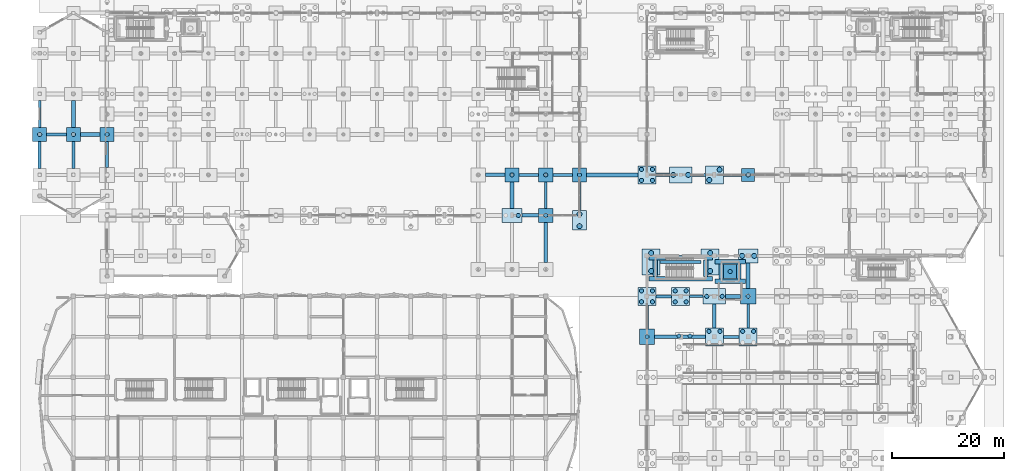
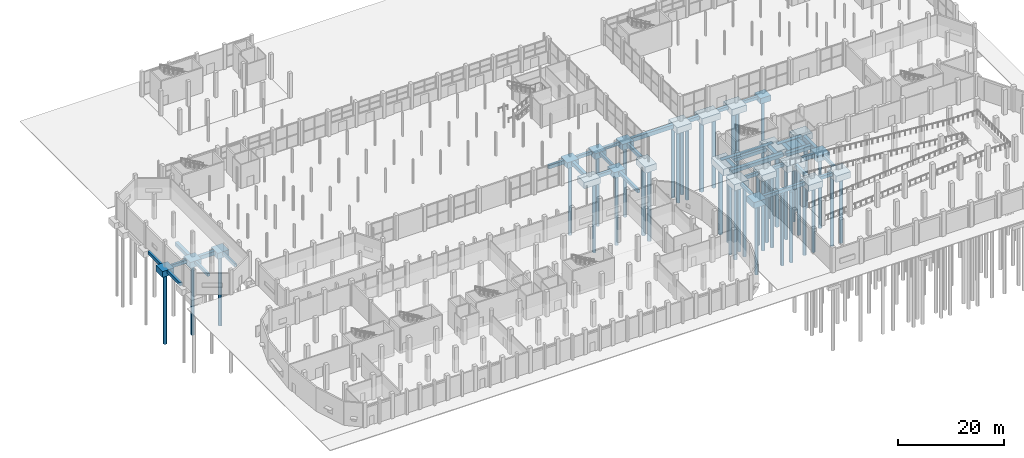
# One storey, part 3 of 103: 61 footings, 44 piles.
"""IFC4 building model written with IfcOpenShell, lengths in metres."""

from ifc_helpers import new_model, si_unit, direction, frame, origin, origin_2d, place, context, subcontext, project, spatial, rectangle, circle, extrude, material, material_profile, profile_set, type_object, element, save


model = new_model("IFC4")

# Units and contexts
model_context = context("Model", 3, precision=1e-05, world=origin(), true_north=direction((0.0, 1.0)))
body_context = subcontext(model_context, "Body", "Model", "MODEL_VIEW")
ifc_project = project(units=[si_unit("LENGTHUNIT", "METRE"), si_unit("AREAUNIT", "SQUARE_METRE"), si_unit("VOLUMEUNIT", "CUBIC_METRE"), si_unit("PLANEANGLEUNIT", "RADIAN"), si_unit("MASSUNIT", "GRAM", prefix="KILO")], contexts=[model_context])

# Site, building, storey
site_placement = place(None, origin())
site = spatial("IfcSite", under=ifc_project, at=site_placement, CompositionType="ELEMENT")
building_placement = place(site_placement, origin())
building = spatial("IfcBuilding", under=site, at=building_placement, Name="Dunvalen Ferry Terminal", CompositionType="ELEMENT")
storey_placement = place(building_placement, origin())
storey = spatial("IfcBuildingStorey", under=building, at=storey_placement, Name="L00", CompositionType="ELEMENT", Elevation=0.0)

# Footings
ifc_material = material(Name="Concrete C40/50", Category="concrete")
ifc_material_profile_1 = material_profile(ifc_material, rectangle(XDim=0.5, YDim=0.699951171875, at=origin_2d()), Name="Concrete C40/50")
ifc_profile_set_1 = profile_set([ifc_material_profile_1], Name="Concrete C40/50")
footing_type_1 = type_object("IfcFootingType", Name="STR-GB-500x700", PredefinedType="FOOTING_BEAM", material=ifc_profile_set_1)
footing_1_placement = place(storey_placement, frame((115.60009765625, 36.0, -0.669921875), z_axis=(1.0, 0.0, 0.0), x_axis=(0.0, 1.0, 0.0)))
element("IfcFooting", 1, at=footing_1_placement, inside=storey, type_object=footing_type_1, Name="L00 Ground Beam X-171", PredefinedType="FOOTING_BEAM", context=body_context, shape_type="SweptSolid", body=[
    extrude(rectangle(XDim=0.5, YDim=0.699951171875, at=origin_2d()), origin(), (0.0, 0.0, 1.0), 2.39990234375),
])
footing_2_placement = place(storey_placement, frame((91.25, 57.60009765625, -0.669921875), z_axis=(1.0, 0.0, 0.0), x_axis=(0.0, 1.0, 0.0)))
element("IfcFooting", 2, at=footing_2_placement, inside=storey, type_object=footing_type_1, Name="L00 Ground Beam X-215", PredefinedType="FOOTING_BEAM", context=body_context, shape_type="SweptSolid", body=[
    extrude(rectangle(XDim=0.5, YDim=0.699951171875, at=origin_2d()), origin(), (0.0, 0.0, 1.0), 3.5),
])
footing_3_placement = place(storey_placement, frame((121.60009765625, 57.60009765625, -0.669921875), z_axis=(1.0, 0.0, 0.0), x_axis=(0.0, 1.0, 0.0)))
element("IfcFooting", 3, at=footing_3_placement, inside=storey, type_object=footing_type_1, Name="L00 Ground Beam X-219", PredefinedType="FOOTING_BEAM", context=body_context, shape_type="SweptSolid", body=[
    extrude(rectangle(XDim=0.5, YDim=0.699951171875, at=origin_2d()), origin(), (0.0, 0.0, 1.0), 3.25),
])
footing_4_placement = place(storey_placement, frame((1.25, 64.800048828125, -0.669921875), z_axis=(1.0, 0.0, 0.0), x_axis=(0.0, 1.0, 0.0)))
element("IfcFooting", 4, at=footing_4_placement, inside=storey, type_object=footing_type_1, Name="L00 Ground Beam X-227", PredefinedType="FOOTING_BEAM", context=body_context, shape_type="SweptSolid", body=[
    extrude(rectangle(XDim=0.5, YDim=0.699951171875, at=origin_2d()), origin(), (0.0, 0.0, 1.0), 3.5),
])
for number, where, z_axis, x_axis, name in (
    (5, (0.0, 66.050048828125, -0.669921875), (0.0, 1.0, 0.0), (-1.0, 0.0, 0.0), "L00 Ground Beam Y-359"),
    (6, (6.0, 58.75, -0.669921875), (0.0, 1.0, 0.0), (-1.0, 0.0, 0.0), "L00 Ground Beam Y-363"),
):
    element("IfcFooting", number, at=place(storey_placement, frame(where, z_axis=z_axis, x_axis=x_axis)), inside=storey, type_object=footing_type_1, Name=name, PredefinedType="FOOTING_BEAM", context=body_context, shape_type="SweptSolid", body=[
        extrude(rectangle(XDim=0.5, YDim=0.699951171875, at=origin_2d()), origin(), (0.0, 0.0, 1.0), 4.800048828125),
    ])
footing_5_placement = place(storey_placement, frame((12.0, 58.949951171875, -0.669921875), z_axis=(0.0, 1.0, 0.0), x_axis=(-1.0, 0.0, 0.0)))
element("IfcFooting", 7, at=footing_5_placement, inside=storey, type_object=footing_type_1, Name="L00 Ground Beam Y-371", PredefinedType="FOOTING_BEAM", context=body_context, shape_type="SweptSolid", body=[
    extrude(rectangle(XDim=0.5, YDim=0.699951171875, at=origin_2d()), origin(), (0.0, 0.0, 1.0), 4.60009765625),
])
footing_6_placement = place(storey_placement, frame((90.0, 51.64990234375, -0.669921875), z_axis=(0.0, 1.0, 0.0), x_axis=(-1.0, 0.0, 0.0)))
element("IfcFooting", 8, at=footing_6_placement, inside=storey, type_object=footing_type_1, Name="L00 Ground Beam Y-439", PredefinedType="FOOTING_BEAM", context=body_context, shape_type="SweptSolid", body=[
    extrude(rectangle(XDim=0.5, YDim=0.699951171875, at=origin_2d()), origin(), (0.0, 0.0, 1.0), 4.7001953125),
])
for number, where, z_axis, x_axis, name in (
    (9, (108.0, 30.14990234375, -0.669921875), (0.0, 1.0, 0.0), (-1.0, 0.0, 0.0), "L00 Ground Beam Y-455"),
    (10, (126.0, 30.39990234375, -0.669921875), (0.0, 1.0, 0.0), (-1.0, 0.0, 0.0), "L00 Ground Beam Y-471"),
):
    element("IfcFooting", number, at=place(storey_placement, frame(where, z_axis=z_axis, x_axis=x_axis)), inside=storey, type_object=footing_type_1, Name=name, PredefinedType="FOOTING_BEAM", context=body_context, shape_type="SweptSolid", body=[
        extrude(rectangle(XDim=0.5, YDim=0.699951171875, at=origin_2d()), origin(), (0.0, 0.0, 1.0), 4.25),
    ])
ifc_material_profile_2 = material_profile(ifc_material, rectangle(XDim=0.550048828125, YDim=0.75, at=origin_2d()), Name="Concrete C40/50")
ifc_profile_set_2 = profile_set([ifc_material_profile_2], Name="Concrete C40/50")
footing_type_2 = type_object("IfcFootingType", Name="STR-GB-550x750", PredefinedType="FOOTING_BEAM", material=ifc_profile_set_2)
for number, where, z_axis, x_axis, name in (
    (11, (121.60009765625, 28.800048828125, -0.695068359375), (1.0, 0.0, 0.0), (0.0, 1.0, 0.0), "L00 Ground Beam X-166"),
    (12, (109.60009765625, 36.0, -0.695068359375), (1.0, 0.0, 0.0), (0.0, 1.0, 0.0), "L00 Ground Beam X-170"),
):
    element("IfcFooting", number, at=place(storey_placement, frame(where, z_axis=z_axis, x_axis=x_axis)), inside=storey, type_object=footing_type_2, Name=name, PredefinedType="FOOTING_BEAM", context=body_context, shape_type="SweptSolid", body=[
        extrude(rectangle(XDim=0.550048828125, YDim=0.75, at=origin_2d()), origin(), (0.0, 0.0, 1.0), 2.7998046875),
    ])
footing_7_placement = place(storey_placement, frame((85.25, 57.60009765625, -0.695068359375), z_axis=(1.0, 0.0, 0.0), x_axis=(0.0, 1.0, 0.0)))
element("IfcFooting", 13, at=footing_7_placement, inside=storey, type_object=footing_type_2, Name="L00 Ground Beam X-214", PredefinedType="FOOTING_BEAM", context=body_context, shape_type="SweptSolid", body=[
    extrude(rectangle(XDim=0.550048828125, YDim=0.75, at=origin_2d()), origin(), (0.0, 0.0, 1.0), 3.5),
])
footing_8_placement = place(storey_placement, frame((116.0, 57.60009765625, -0.695068359375), z_axis=(1.0, 0.0, 0.0), x_axis=(0.0, 1.0, 0.0)))
element("IfcFooting", 14, at=footing_8_placement, inside=storey, type_object=footing_type_2, Name="L00 Ground Beam X-218", PredefinedType="FOOTING_BEAM", context=body_context, shape_type="SweptSolid", body=[
    extrude(rectangle(XDim=0.550048828125, YDim=0.75, at=origin_2d()), origin(), (0.0, 0.0, 1.0), 2.39990234375),
])
footing_9_placement = place(storey_placement, frame((0.0, 58.75, -0.695068359375), z_axis=(0.0, 1.0, 0.0), x_axis=(-1.0, 0.0, 0.0)))
element("IfcFooting", 15, at=footing_9_placement, inside=storey, type_object=footing_type_2, Name="L00 Ground Beam Y-358", PredefinedType="FOOTING_BEAM", context=body_context, shape_type="SweptSolid", body=[
    extrude(rectangle(XDim=0.550048828125, YDim=0.75, at=origin_2d()), origin(), (0.0, 0.0, 1.0), 4.800048828125),
])
footing_10_placement = place(storey_placement, frame((90.0, 42.050048828125, -0.695068359375), z_axis=(0.0, 1.0, 0.0), x_axis=(-1.0, 0.0, 0.0)))
element("IfcFooting", 16, at=footing_10_placement, inside=storey, type_object=footing_type_2, Name="L00 Ground Beam Y-438", PredefinedType="FOOTING_BEAM", context=body_context, shape_type="SweptSolid", body=[
    extrude(rectangle(XDim=0.550048828125, YDim=0.75, at=origin_2d()), origin(), (0.0, 0.0, 1.0), 7.099853515625),
])
ifc_material_profile_3 = material_profile(ifc_material, rectangle(XDim=0.60009765625, YDim=0.800048828125, at=origin_2d()), Name="Concrete C40/50")
ifc_profile_set_3 = profile_set([ifc_material_profile_3], Name="Concrete C40/50")
footing_type_3 = type_object("IfcFootingType", Name="STR-GB-600x800", PredefinedType="FOOTING_BEAM", material=ifc_profile_set_3)
footing_11_placement = place(storey_placement, frame((109.35009765625, 28.800048828125, -0.719970703125), z_axis=(1.0, 0.0, 0.0), x_axis=(0.0, 1.0, 0.0)))
element("IfcFooting", 17, at=footing_11_placement, inside=storey, type_object=footing_type_3, Name="L00 Ground Beam X-165", PredefinedType="FOOTING_BEAM", context=body_context, shape_type="SweptSolid", body=[
    extrude(rectangle(XDim=0.60009765625, YDim=0.800048828125, at=origin_2d()), origin(), (0.0, 0.0, 1.0), 9.0498046875),
])
footing_12_placement = place(storey_placement, frame((110.35009765625, 42.10009765625, -0.719970703125), z_axis=(1.0, 0.0, 0.0), x_axis=(0.0, 1.0, 0.0)))
element("IfcFooting", 18, at=footing_12_placement, inside=storey, type_object=footing_type_3, Name="L00 Ground Beam X-181", PredefinedType="FOOTING_BEAM", context=body_context, shape_type="SweptSolid", body=[
    extrude(rectangle(XDim=0.60009765625, YDim=0.800048828125, at=origin_2d()), origin(), (0.0, 0.0, 1.0), 7.2998046875),
])
footing_13_placement = place(storey_placement, frame((85.75, 50.39990234375, -0.719970703125), z_axis=(1.0, 0.0, 0.0), x_axis=(0.0, 1.0, 0.0)))
element("IfcFooting", 19, at=footing_13_placement, inside=storey, type_object=footing_type_3, Name="L00 Ground Beam X-201", PredefinedType="FOOTING_BEAM", context=body_context, shape_type="SweptSolid", body=[
    extrude(rectangle(XDim=0.60009765625, YDim=0.800048828125, at=origin_2d()), origin(), (0.0, 0.0, 1.0), 3.0),
])
footing_14_placement = place(storey_placement, frame((79.25, 57.60009765625, -0.719970703125), z_axis=(1.0, 0.0, 0.0), x_axis=(0.0, 1.0, 0.0)))
element("IfcFooting", 20, at=footing_14_placement, inside=storey, type_object=footing_type_3, Name="L00 Ground Beam X-213", PredefinedType="FOOTING_BEAM", context=body_context, shape_type="SweptSolid", body=[
    extrude(rectangle(XDim=0.60009765625, YDim=0.800048828125, at=origin_2d()), origin(), (0.0, 0.0, 1.0), 3.5),
])
footing_15_placement = place(storey_placement, frame((109.60009765625, 57.60009765625, -0.719970703125), z_axis=(1.0, 0.0, 0.0), x_axis=(0.0, 1.0, 0.0)))
element("IfcFooting", 21, at=footing_15_placement, inside=storey, type_object=footing_type_3, Name="L00 Ground Beam X-217", PredefinedType="FOOTING_BEAM", context=body_context, shape_type="SweptSolid", body=[
    extrude(rectangle(XDim=0.60009765625, YDim=0.800048828125, at=origin_2d()), origin(), (0.0, 0.0, 1.0), 2.39990234375),
])
footing_16_placement = place(storey_placement, frame((96.0, 51.300048828125, -0.719970703125), z_axis=(0.0, 1.0, 0.0), x_axis=(-1.0, 0.0, 0.0)))
element("IfcFooting", 22, at=footing_16_placement, inside=storey, type_object=footing_type_3, Name="L00 Ground Beam Y-445", PredefinedType="FOOTING_BEAM", context=body_context, shape_type="SweptSolid", body=[
    extrude(rectangle(XDim=0.60009765625, YDim=0.800048828125, at=origin_2d()), origin(), (0.0, 0.0, 1.0), 5.050048828125),
])
footing_17_placement = place(storey_placement, frame((120.0, 30.39990234375, -0.719970703125), z_axis=(0.0, 1.0, 0.0), x_axis=(-1.0, 0.0, 0.0)))
element("IfcFooting", 23, at=footing_17_placement, inside=storey, type_object=footing_type_3, Name="L00 Ground Beam Y-465", PredefinedType="FOOTING_BEAM", context=body_context, shape_type="SweptSolid", body=[
    extrude(rectangle(XDim=0.60009765625, YDim=0.800048828125, at=origin_2d()), origin(), (0.0, 0.0, 1.0), 4.2001953125),
])
ifc_material_profile_4 = material_profile(ifc_material, rectangle(XDim=0.699951171875, YDim=0.89990234375, at=origin_2d()), Name="Concrete C40/50")
ifc_profile_set_4 = profile_set([ifc_material_profile_4], Name="Concrete C40/50")
footing_type_4 = type_object("IfcFootingType", Name="STR-GB-700x900", PredefinedType="FOOTING_BEAM", material=ifc_profile_set_4)
footing_18_placement = place(storey_placement, frame((122.0, 36.0, -0.77001953125), z_axis=(1.0, 0.0, 0.0), x_axis=(0.0, 1.0, 0.0)))
element("IfcFooting", 24, at=footing_18_placement, inside=storey, type_object=footing_type_4, Name="L00 Ground Beam X-172", PredefinedType="FOOTING_BEAM", context=body_context, shape_type="SweptSolid", body=[
    extrude(rectangle(XDim=0.699951171875, YDim=0.89990234375, at=origin_2d()), origin(), (0.0, 0.0, 1.0), 2.64990234375),
])
footing_19_placement = place(storey_placement, frame((97.25, 57.60009765625, -0.77001953125), z_axis=(1.0, 0.0, 0.0), x_axis=(0.0, 1.0, 0.0)))
element("IfcFooting", 25, at=footing_19_placement, inside=storey, type_object=footing_type_4, Name="L00 Ground Beam X-216", PredefinedType="FOOTING_BEAM", context=body_context, shape_type="SweptSolid", body=[
    extrude(rectangle(XDim=0.699951171875, YDim=0.89990234375, at=origin_2d()), origin(), (0.0, 0.0, 1.0), 9.14990234375),
])
footing_20_placement = place(storey_placement, frame((7.25, 64.800048828125, -0.77001953125), z_axis=(1.0, 0.0, 0.0), x_axis=(0.0, 1.0, 0.0)))
element("IfcFooting", 26, at=footing_20_placement, inside=storey, type_object=footing_type_4, Name="L00 Ground Beam X-228", PredefinedType="FOOTING_BEAM", context=body_context, shape_type="SweptSolid", body=[
    extrude(rectangle(XDim=0.699951171875, YDim=0.89990234375, at=origin_2d()), origin(), (0.0, 0.0, 1.0), 3.5),
])
footing_21_placement = place(storey_placement, frame((6.0, 66.050048828125, -0.77001953125), z_axis=(0.0, 1.0, 0.0), x_axis=(-1.0, 0.0, 0.0)))
element("IfcFooting", 27, at=footing_21_placement, inside=storey, type_object=footing_type_4, Name="L00 Ground Beam Y-364", PredefinedType="FOOTING_BEAM", context=body_context, shape_type="SweptSolid", body=[
    extrude(rectangle(XDim=0.699951171875, YDim=0.89990234375, at=origin_2d()), origin(), (0.0, 0.0, 1.0), 4.800048828125),
])
footing_22_placement = place(storey_placement, frame((84.0, 51.64990234375, -0.77001953125), z_axis=(0.0, 1.0, 0.0), x_axis=(-1.0, 0.0, 0.0)))
element("IfcFooting", 28, at=footing_22_placement, inside=storey, type_object=footing_type_4, Name="L00 Ground Beam Y-432", PredefinedType="FOOTING_BEAM", context=body_context, shape_type="SweptSolid", body=[
    extrude(rectangle(XDim=0.699951171875, YDim=0.89990234375, at=origin_2d()), origin(), (0.0, 0.0, 1.0), 4.7001953125),
])
footing_23_placement = place(storey_placement, frame((126.0, 37.35009765625, -0.77001953125), z_axis=(0.0, 1.0, 0.0), x_axis=(-1.0, 0.0, 0.0)))
element("IfcFooting", 29, at=footing_23_placement, inside=storey, type_object=footing_type_4, Name="L00 Ground Beam Y-472", PredefinedType="FOOTING_BEAM", context=body_context, shape_type="SweptSolid", body=[
    extrude(rectangle(XDim=0.699951171875, YDim=0.89990234375, at=origin_2d()), origin(), (0.0, 0.0, 1.0), 4.599853515625),
])
footing_type_5 = type_object("IfcFootingType", Name="STR-PC-04", PredefinedType="PILE_CAP", material=ifc_material)
footing_24_placement = place(storey_placement, frame((126.0, 57.60009765625, -1.6201171875), z_axis=(0.0, 0.0, 1.0), x_axis=(1.0, 0.0, 0.0)))
element("IfcFooting", 30, at=footing_24_placement, inside=storey, type_object=footing_type_5, Name="L00 Pile Cap 179", PredefinedType="PILE_CAP", context=body_context, shape_type="SweptSolid", body=[
    extrude(rectangle(XDim=2.300048828125, YDim=2.300048828125, at=origin_2d()), origin(), (0.0, 0.0, 1.0), 1.300048828125),
])
footing_type_6 = type_object("IfcFootingType", Name="STR-PC-05", PredefinedType="PILE_CAP", material=ifc_material)
for number, where, z_axis, x_axis, name in (
    (31, (0.0, 64.800048828125, -1.670166015625), (0.0, 0.0, 1.0), (1.0, 0.0, 0.0), "L00 Pile Cap 003"),
    (32, (6.0, 64.800048828125, -1.670166015625), (0.0, 0.0, 1.0), (1.0, 0.0, 0.0), "L00 Pile Cap 009"),
    (33, (12.0, 64.800048828125, -1.670166015625), (0.0, 0.0, 1.0), (1.0, 0.0, 0.0), "L00 Pile Cap 018"),
    (34, (84.0, 57.60009765625, -1.670166015625), (0.0, 0.0, 1.0), (1.0, 0.0, 0.0), "L00 Pile Cap 115"),
    (35, (90.0, 50.39990234375, -1.670166015625), (0.0, 0.0, 1.0), (1.0, 0.0, 0.0), "L00 Pile Cap 122"),
    (36, (90.0, 57.60009765625, -1.670166015625), (0.0, 0.0, 1.0), (1.0, 0.0, 0.0), "L00 Pile Cap 123"),
    (37, (96.0, 57.60009765625, -1.670166015625), (0.0, 0.0, 1.0), (1.0, 0.0, 0.0), "L00 Pile Cap 130"),
    (38, (122.800048828125, 40.39990234375, -1.670166015625), (0.0, 0.0, 1.0), (1.0, 0.0, 0.0), "L00 Pile Cap 171"),
):
    element("IfcFooting", number, at=place(storey_placement, frame(where, z_axis=z_axis, x_axis=x_axis)), inside=storey, type_object=footing_type_6, Name=name, PredefinedType="PILE_CAP", context=body_context, shape_type="SweptSolid", body=[
        extrude(rectangle(XDim=2.5, YDim=2.5, at=origin_2d()), origin(), (0.0, 0.0, 1.0), 1.35009765625),
    ])
footing_type_7 = type_object("IfcFootingType", Name="STR-PC-06", PredefinedType="PILE_CAP", material=ifc_material)
for number, where, z_axis, x_axis, name in (
    (39, (108.0, 28.800048828125, -1.719970703125), (0.0, 0.0, 1.0), (1.0, 0.0, 0.0), "L00 Pile Cap 140"),
    (40, (126.0, 36.0, -1.719970703125), (0.0, 0.0, 1.0), (1.0, 0.0, 0.0), "L00 Pile Cap 177"),
):
    element("IfcFooting", number, at=place(storey_placement, frame(where, z_axis=z_axis, x_axis=x_axis)), inside=storey, type_object=footing_type_7, Name=name, PredefinedType="PILE_CAP", context=body_context, shape_type="SweptSolid", body=[
        extrude(rectangle(XDim=2.699951171875, YDim=2.699951171875, at=origin_2d()), origin(), (0.0, 0.0, 1.0), 1.39990234375),
    ])
footing_type_8 = type_object("IfcFootingType", Name="STR-PC-09", PredefinedType="PILE_CAP", material=ifc_material)
for number, where, z_axis, x_axis, name in (
    (41, (108.0, 36.0, -1.77001953125), (0.0, 0.0, 1.0), (1.0, 0.0, 0.0), "L00 Pile Cap 141"),
    (42, (108.0, 57.60009765625, -1.77001953125), (0.0, 0.0, 1.0), (1.0, 0.0, 0.0), "L00 Pile Cap 143"),
    (43, (114.0, 36.0, -1.77001953125), (0.0, 0.0, 1.0), (1.0, 0.0, 0.0), "L00 Pile Cap 153"),
    (44, (120.0, 28.800048828125, -1.77001953125), (0.0, 0.0, 1.0), (1.0, 0.0, 0.0), "L00 Pile Cap 163"),
    (45, (120.0, 57.60009765625, -1.77001953125), (0.0, 0.0, 1.0), (1.0, 0.0, 0.0), "L00 Pile Cap 165"),
    (46, (126.0, 28.800048828125, -1.77001953125), (0.0, 0.0, 1.0), (1.0, 0.0, 0.0), "L00 Pile Cap 176"),
):
    element("IfcFooting", number, at=place(storey_placement, frame(where, z_axis=z_axis, x_axis=x_axis)), inside=storey, type_object=footing_type_8, Name=name, PredefinedType="PILE_CAP", context=body_context, shape_type="SweptSolid", body=[
        extrude(rectangle(XDim=3.199951171875, YDim=3.199951171875, at=origin_2d()), origin(), (0.0, 0.0, 1.0), 1.449951171875),
    ])
footing_type_9 = type_object("IfcFootingType", Name="STR-PC-10", PredefinedType="PILE_CAP", material=ifc_material)
for number, where, z_axis, x_axis, name in (
    (47, (84.0, 50.39990234375, -1.77001953125), (0.0, 0.0, 1.0), (1.0, 0.0, 0.0), "L00 Pile Cap 114"),
    (48, (96.0, 49.550048828125, -1.77001953125), (0.0, 0.0, 1.0), (0.0, 1.0, 0.0), "L00 Pile Cap 129"),
    (49, (126.0, 43.199951171875, -1.77001953125), (0.0, 0.0, 1.0), (1.0, 0.0, 0.0), "L00 Pile Cap 178"),
):
    element("IfcFooting", number, at=place(storey_placement, frame(where, z_axis=z_axis, x_axis=x_axis)), inside=storey, type_object=footing_type_9, Name=name, PredefinedType="PILE_CAP", context=body_context, shape_type="SweptSolid", body=[
        extrude(rectangle(XDim=3.5, YDim=2.5, at=origin_2d()), origin(), (0.0, 0.0, 1.0), 1.449951171875),
    ])
footing_type_10 = type_object("IfcFootingType", Name="STR-PC-12", PredefinedType="PILE_CAP", material=ifc_material)
for number, where, z_axis, x_axis, name in (
    (50, (114.0, 57.60009765625, -1.820068359375), (0.0, 0.0, 1.0), (1.0, 0.0, 0.0), "L00 Pile Cap 154"),
    (51, (120.0, 36.0, -1.820068359375), (0.0, 0.0, 1.0), (1.0, 0.0, 0.0), "L00 Pile Cap 164"),
):
    element("IfcFooting", number, at=place(storey_placement, frame(where, z_axis=z_axis, x_axis=x_axis)), inside=storey, type_object=footing_type_10, Name=name, PredefinedType="PILE_CAP", context=body_context, shape_type="SweptSolid", body=[
        extrude(rectangle(XDim=4.0, YDim=2.800048828125, at=origin_2d()), origin(), (0.0, 0.0, 1.0), 1.5),
    ])
footing_type_11 = type_object("IfcFootingType", Name="STR-PC-14", PredefinedType="PILE_CAP", material=ifc_material)
for number, where, z_axis, x_axis, name in (
    (52, (108.75, 42.10009765625, -1.8701171875), (0.0, 0.0, 1.0), (0.0, 1.0, 0.0), "L00 Pile Cap 142"),
    (53, (119.25, 42.10009765625, -1.8701171875), (0.0, 0.0, 1.0), (0.0, 1.0, 0.0), "L00 Pile Cap 157"),
):
    element("IfcFooting", number, at=place(storey_placement, frame(where, z_axis=z_axis, x_axis=x_axis)), inside=storey, type_object=footing_type_11, Name=name, PredefinedType="PILE_CAP", context=body_context, shape_type="SweptSolid", body=[
        extrude(rectangle(XDim=4.60009765625, YDim=3.199951171875, at=origin_2d()), origin(), (0.0, 0.0, 1.0), 1.550048828125),
    ])

# Piles
ifc_material_profile_5 = material_profile(ifc_material, circle(Radius=0.375, at=origin_2d()), Name="Concrete C40/50")
ifc_profile_set_5 = profile_set([ifc_material_profile_5], Name="Concrete C40/50")
pile_type_1 = type_object("IfcPileType", Name="STR-PILE-P750", PredefinedType="BORED", material=ifc_profile_set_5)
for number, where, z_axis, x_axis, name in (
    (54, (0.0, 64.800048828125, -1.570068359375), (0.0, 0.0, -1.0), (1.0, 0.0, 0.0), "L00 Bored Pile 003.1"),
    (55, (6.0, 64.800048828125, -1.570068359375), (0.0, 0.0, -1.0), (1.0, 0.0, 0.0), "L00 Bored Pile 009.1"),
    (56, (12.0, 64.800048828125, -1.570068359375), (0.0, 0.0, -1.0), (1.0, 0.0, 0.0), "L00 Bored Pile 018.1"),
):
    element("IfcPile", number, at=place(storey_placement, frame(where, z_axis=z_axis, x_axis=x_axis)), inside=storey, type_object=pile_type_1, Name=name, PredefinedType="BORED", context=body_context, shape_type="SweptSolid", body=[
        extrude(circle(Radius=0.375, at=origin_2d()), origin(), (0.0, 0.0, 1.0), 16.429931640625),
    ])
pile_1_placement = place(storey_placement, frame((85.125, 50.39990234375, -1.669921875), z_axis=(0.0, 0.0, -1.0), x_axis=(1.0, 0.0, 0.0)))
element("IfcPile", 57, at=pile_1_placement, inside=storey, type_object=pile_type_1, Name="L00 Bored Pile 114.2", PredefinedType="BORED", context=body_context, shape_type="SweptSolid", body=[
    extrude(circle(Radius=0.375, at=origin_2d()), origin(), (0.0, 0.0, 1.0), 16.330078125),
])
for number, where, z_axis, x_axis, name in (
    (58, (84.0, 57.60009765625, -1.570068359375), (0.0, 0.0, -1.0), (1.0, 0.0, 0.0), "L00 Bored Pile 115.1"),
    (59, (90.0, 50.39990234375, -1.570068359375), (0.0, 0.0, -1.0), (1.0, 0.0, 0.0), "L00 Bored Pile 122.1"),
    (60, (90.0, 57.60009765625, -1.570068359375), (0.0, 0.0, -1.0), (1.0, 0.0, 0.0), "L00 Bored Pile 123.1"),
    (61, (96.0, 57.60009765625, -1.570068359375), (0.0, 0.0, -1.0), (1.0, 0.0, 0.0), "L00 Bored Pile 130.1"),
):
    element("IfcPile", number, at=place(storey_placement, frame(where, z_axis=z_axis, x_axis=x_axis)), inside=storey, type_object=pile_type_1, Name=name, PredefinedType="BORED", context=body_context, shape_type="SweptSolid", body=[
        extrude(circle(Radius=0.375, at=origin_2d()), origin(), (0.0, 0.0, 1.0), 16.429931640625),
    ])
pile_2_placement = place(storey_placement, frame((108.0, 28.800048828125, -1.6201171875), z_axis=(0.0, 0.0, -1.0), x_axis=(1.0, 0.0, 0.0)))
element("IfcPile", 62, at=pile_2_placement, inside=storey, type_object=pile_type_1, Name="L00 Bored Pile 140.1", PredefinedType="BORED", context=body_context, shape_type="SweptSolid", body=[
    extrude(circle(Radius=0.375, at=origin_2d()), origin(), (0.0, 0.0, 1.0), 16.3798828125),
])
for number, where, z_axis, x_axis, name in (
    (63, (107.02490234375, 35.02490234375, -1.669921875), (0.0, 0.0, -1.0), (1.0, 0.0, 0.0), "L00 Bored Pile 141.1"),
    (64, (108.97509765625, 35.02490234375, -1.669921875), (0.0, 0.0, -1.0), (1.0, 0.0, 0.0), "L00 Bored Pile 141.2"),
    (65, (107.02490234375, 36.97509765625, -1.669921875), (0.0, 0.0, -1.0), (1.0, 0.0, 0.0), "L00 Bored Pile 141.3"),
    (66, (108.97509765625, 36.97509765625, -1.669921875), (0.0, 0.0, -1.0), (1.0, 0.0, 0.0), "L00 Bored Pile 141.4"),
    (67, (107.02490234375, 56.625, -1.669921875), (0.0, 0.0, -1.0), (1.0, 0.0, 0.0), "L00 Bored Pile 143.1"),
    (68, (108.97509765625, 56.625, -1.669921875), (0.0, 0.0, -1.0), (1.0, 0.0, 0.0), "L00 Bored Pile 143.2"),
    (69, (107.02490234375, 58.574951171875, -1.669921875), (0.0, 0.0, -1.0), (1.0, 0.0, 0.0), "L00 Bored Pile 143.3"),
    (70, (108.97509765625, 58.574951171875, -1.669921875), (0.0, 0.0, -1.0), (1.0, 0.0, 0.0), "L00 Bored Pile 143.4"),
    (71, (113.699951171875, 28.949951171875, -1.669921875), (0.0, 0.0, -1.0), (1.0, 0.0, 0.0), "L00 Bored Pile 152.3"),
    (72, (115.64990234375, 28.949951171875, -1.669921875), (0.0, 0.0, -1.0), (1.0, 0.0, 0.0), "L00 Bored Pile 152.4"),
    (73, (113.02490234375, 35.02490234375, -1.669921875), (0.0, 0.0, -1.0), (1.0, 0.0, 0.0), "L00 Bored Pile 153.1"),
    (74, (114.97509765625, 35.02490234375, -1.669921875), (0.0, 0.0, -1.0), (1.0, 0.0, 0.0), "L00 Bored Pile 153.2"),
    (75, (113.02490234375, 36.97509765625, -1.669921875), (0.0, 0.0, -1.0), (1.0, 0.0, 0.0), "L00 Bored Pile 153.3"),
    (76, (114.97509765625, 36.97509765625, -1.669921875), (0.0, 0.0, -1.0), (1.0, 0.0, 0.0), "L00 Bored Pile 153.4"),
    (77, (119.02490234375, 29.77490234375, -1.669921875), (0.0, 0.0, -1.0), (1.0, 0.0, 0.0), "L00 Bored Pile 163.3"),
    (78, (120.97509765625, 29.77490234375, -1.669921875), (0.0, 0.0, -1.0), (1.0, 0.0, 0.0), "L00 Bored Pile 163.4"),
):
    element("IfcPile", number, at=place(storey_placement, frame(where, z_axis=z_axis, x_axis=x_axis)), inside=storey, type_object=pile_type_1, Name=name, PredefinedType="BORED", context=body_context, shape_type="SweptSolid", body=[
        extrude(circle(Radius=0.375, at=origin_2d()), origin(), (0.0, 0.0, 1.0), 16.330078125),
    ])
for number, where, z_axis, x_axis, name in (
    (79, (118.625, 36.0, -1.719970703125), (0.0, 0.0, -1.0), (1.0, 0.0, 0.0), "L00 Bored Pile 164.1"),
    (80, (121.375, 36.0, -1.719970703125), (0.0, 0.0, -1.0), (1.0, 0.0, 0.0), "L00 Bored Pile 164.2"),
):
    element("IfcPile", number, at=place(storey_placement, frame(where, z_axis=z_axis, x_axis=x_axis)), inside=storey, type_object=pile_type_1, Name=name, PredefinedType="BORED", context=body_context, shape_type="SweptSolid", body=[
        extrude(circle(Radius=0.375, at=origin_2d()), origin(), (0.0, 0.0, 1.0), 16.280029296875),
    ])
pile_3_placement = place(storey_placement, frame((122.800048828125, 40.39990234375, -1.570068359375), z_axis=(0.0, 0.0, -1.0), x_axis=(1.0, 0.0, 0.0)))
element("IfcPile", 81, at=pile_3_placement, inside=storey, type_object=pile_type_1, Name="L00 Bored Pile 171.1", PredefinedType="BORED", context=body_context, shape_type="SweptSolid", body=[
    extrude(circle(Radius=0.375, at=origin_2d()), origin(), (0.0, 0.0, 1.0), 16.429931640625),
])
for number, where, z_axis, x_axis, name in (
    (82, (125.02490234375, 29.77490234375, -1.669921875), (0.0, 0.0, -1.0), (1.0, 0.0, 0.0), "L00 Bored Pile 176.3"),
    (83, (126.97509765625, 29.77490234375, -1.669921875), (0.0, 0.0, -1.0), (1.0, 0.0, 0.0), "L00 Bored Pile 176.4"),
):
    element("IfcPile", number, at=place(storey_placement, frame(where, z_axis=z_axis, x_axis=x_axis)), inside=storey, type_object=pile_type_1, Name=name, PredefinedType="BORED", context=body_context, shape_type="SweptSolid", body=[
        extrude(circle(Radius=0.375, at=origin_2d()), origin(), (0.0, 0.0, 1.0), 16.330078125),
    ])
pile_4_placement = place(storey_placement, frame((126.0, 36.0, -1.6201171875), z_axis=(0.0, 0.0, -1.0), x_axis=(1.0, 0.0, 0.0)))
element("IfcPile", 84, at=pile_4_placement, inside=storey, type_object=pile_type_1, Name="L00 Bored Pile 177.1", PredefinedType="BORED", context=body_context, shape_type="SweptSolid", body=[
    extrude(circle(Radius=0.375, at=origin_2d()), origin(), (0.0, 0.0, 1.0), 16.3798828125),
])
pile_5_placement = place(storey_placement, frame((126.0, 57.60009765625, -1.52001953125), z_axis=(0.0, 0.0, -1.0), x_axis=(1.0, 0.0, 0.0)))
element("IfcPile", 85, at=pile_5_placement, inside=storey, type_object=pile_type_1, Name="L00 Bored Pile 179.1", PredefinedType="BORED", context=body_context, shape_type="SweptSolid", body=[
    extrude(circle(Radius=0.375, at=origin_2d()), origin(), (0.0, 0.0, 1.0), 16.47998046875),
])
ifc_material_profile_6 = material_profile(ifc_material, circle(Radius=0.449951171875, at=origin_2d()), Name="Concrete C40/50")
ifc_profile_set_6 = profile_set([ifc_material_profile_6], Name="Concrete C40/50")
pile_type_2 = type_object("IfcPileType", Name="STR-PILE-P900", PredefinedType="BORED", material=ifc_profile_set_6)
for number, where, z_axis, x_axis, name in (
    (86, (96.0, 48.47509765625, -1.669921875), (0.0, 0.0, -1.0), (1.0, 0.0, 0.0), "L00 Bored Pile 129.1"),
    (87, (96.0, 50.625, -1.669921875), (0.0, 0.0, -1.0), (1.0, 0.0, 0.0), "L00 Bored Pile 129.2"),
):
    element("IfcPile", number, at=place(storey_placement, frame(where, z_axis=z_axis, x_axis=x_axis)), inside=storey, type_object=pile_type_2, Name=name, PredefinedType="BORED", context=body_context, shape_type="SweptSolid", body=[
        extrude(circle(Radius=0.449951171875, at=origin_2d()), origin(), (0.0, 0.0, 1.0), 16.330078125),
    ])
for number, where, z_axis, x_axis, name in (
    (88, (108.75, 40.5, -1.77001953125), (0.0, 0.0, -1.0), (1.0, 0.0, 0.0), "L00 Bored Pile 142.1"),
    (89, (108.75, 43.699951171875, -1.77001953125), (0.0, 0.0, -1.0), (1.0, 0.0, 0.0), "L00 Bored Pile 142.2"),
):
    element("IfcPile", number, at=place(storey_placement, frame(where, z_axis=z_axis, x_axis=x_axis)), inside=storey, type_object=pile_type_2, Name=name, PredefinedType="BORED", context=body_context, shape_type="SweptSolid", body=[
        extrude(circle(Radius=0.449951171875, at=origin_2d()), origin(), (0.0, 0.0, 1.0), 16.22998046875),
    ])
for number, where, z_axis, x_axis, name in (
    (90, (112.675048828125, 57.60009765625, -1.719970703125), (0.0, 0.0, -1.0), (1.0, 0.0, 0.0), "L00 Bored Pile 154.1"),
    (91, (115.324951171875, 57.60009765625, -1.719970703125), (0.0, 0.0, -1.0), (1.0, 0.0, 0.0), "L00 Bored Pile 154.2"),
):
    element("IfcPile", number, at=place(storey_placement, frame(where, z_axis=z_axis, x_axis=x_axis)), inside=storey, type_object=pile_type_2, Name=name, PredefinedType="BORED", context=body_context, shape_type="SweptSolid", body=[
        extrude(circle(Radius=0.449951171875, at=origin_2d()), origin(), (0.0, 0.0, 1.0), 16.280029296875),
    ])
for number, where, z_axis, x_axis, name in (
    (92, (119.25, 40.5, -1.77001953125), (0.0, 0.0, -1.0), (1.0, 0.0, 0.0), "L00 Bored Pile 157.1"),
    (93, (119.25, 43.699951171875, -1.77001953125), (0.0, 0.0, -1.0), (1.0, 0.0, 0.0), "L00 Bored Pile 157.2"),
):
    element("IfcPile", number, at=place(storey_placement, frame(where, z_axis=z_axis, x_axis=x_axis)), inside=storey, type_object=pile_type_2, Name=name, PredefinedType="BORED", context=body_context, shape_type="SweptSolid", body=[
        extrude(circle(Radius=0.449951171875, at=origin_2d()), origin(), (0.0, 0.0, 1.0), 16.22998046875),
    ])
for number, where, z_axis, x_axis, name in (
    (94, (119.080078125, 56.679931640625, -1.669921875), (0.0, 0.0, -1.0), (1.0, 0.0, 0.0), "L00 Bored Pile 165.1"),
    (95, (120.919921875, 58.52001953125, -1.669921875), (0.0, 0.0, -1.0), (1.0, 0.0, 0.0), "L00 Bored Pile 165.2"),
    (96, (124.925048828125, 43.199951171875, -1.669921875), (0.0, 0.0, -1.0), (1.0, 0.0, 0.0), "L00 Bored Pile 178.1"),
    (97, (127.074951171875, 43.199951171875, -1.669921875), (0.0, 0.0, -1.0), (1.0, 0.0, 0.0), "L00 Bored Pile 178.2"),
):
    element("IfcPile", number, at=place(storey_placement, frame(where, z_axis=z_axis, x_axis=x_axis)), inside=storey, type_object=pile_type_2, Name=name, PredefinedType="BORED", context=body_context, shape_type="SweptSolid", body=[
        extrude(circle(Radius=0.449951171875, at=origin_2d()), origin(), (0.0, 0.0, 1.0), 16.330078125),
    ])

# Footings
ifc_material_profile_7 = material_profile(ifc_material, rectangle(XDim=0.800048828125, YDim=0.800048828125, at=origin_2d()), Name="Concrete C40/50")
ifc_profile_set_7 = profile_set([ifc_material_profile_7], Name="Concrete C40/50")
footing_type_12 = type_object("IfcFootingType", Name="STR-SF-800x800", PredefinedType="STRIP_FOOTING", material=ifc_profile_set_7)
for number, where, z_axis, x_axis, name in (
    (98, (109.5, 39.510009765625, -0.719970703125), (0.0, 1.0, 0.0), (-1.0, 0.0, 0.0), "L00 ST4 Core West Strip Footing"),
    (99, (118.5, 39.510009765625, -0.719970703125), (0.0, 1.0, 0.0), (-1.0, 0.0, 0.0), "L00 ST4 Core East Strip Footing"),
):
    element("IfcFooting", number, at=place(storey_placement, frame(where, z_axis=z_axis, x_axis=x_axis)), inside=storey, type_object=footing_type_12, Name=name, PredefinedType="STRIP_FOOTING", context=body_context, shape_type="SweptSolid", body=[
        extrude(rectangle(XDim=0.800048828125, YDim=0.800048828125, at=origin_2d()), origin(), (0.0, 0.0, 1.0), 2.97998046875),
    ])
for number, where, z_axis, x_axis, name in (
    (100, (108.35009765625, 42.89990234375, -0.719970703125), (1.0, 0.0, 0.0), (0.0, 1.0, 0.0), "L00 ST4 Core North Strip Footing"),
    (101, (108.35009765625, 39.10009765625, -0.719970703125), (1.0, 0.0, 0.0), (0.0, 1.0, 0.0), "L00 ST4 Core South Strip Footing"),
):
    element("IfcFooting", number, at=place(storey_placement, frame(where, z_axis=z_axis, x_axis=x_axis)), inside=storey, type_object=footing_type_12, Name=name, PredefinedType="STRIP_FOOTING", context=body_context, shape_type="SweptSolid", body=[
        extrude(rectangle(XDim=0.800048828125, YDim=0.800048828125, at=origin_2d()), origin(), (0.0, 0.0, 1.0), 11.2998046875),
    ])
for number, where, z_axis, x_axis, name in (
    (102, (121.25, 39.06005859375, -0.719970703125), (0.0, 1.0, 0.0), (-1.0, 0.0, 0.0), "L00 LG-02 Shaft W Strip Footing"),
    (103, (124.35009765625, 39.06005859375, -0.719970703125), (0.0, 1.0, 0.0), (-1.0, 0.0, 0.0), "L00 LG-02 Shaft E Strip Footing"),
):
    element("IfcFooting", number, at=place(storey_placement, frame(where, z_axis=z_axis, x_axis=x_axis)), inside=storey, type_object=footing_type_12, Name=name, PredefinedType="STRIP_FOOTING", context=body_context, shape_type="SweptSolid", body=[
        extrude(rectangle(XDim=0.800048828125, YDim=0.800048828125, at=origin_2d()), origin(), (0.0, 0.0, 1.0), 2.679931640625),
    ])
for number, where, z_axis, x_axis, name in (
    (104, (120.10009765625, 38.64990234375, -0.719970703125), (1.0, 0.0, 0.0), (0.0, 1.0, 0.0), "L00 LG-02 Shaft S Strip Footing"),
    (105, (120.10009765625, 42.14990234375, -0.719970703125), (1.0, 0.0, 0.0), (0.0, 1.0, 0.0), "L00 LG-02 Shaft N Strip Footing"),
):
    element("IfcFooting", number, at=place(storey_placement, frame(where, z_axis=z_axis, x_axis=x_axis)), inside=storey, type_object=footing_type_12, Name=name, PredefinedType="STRIP_FOOTING", context=body_context, shape_type="SweptSolid", body=[
        extrude(rectangle(XDim=0.800048828125, YDim=0.800048828125, at=origin_2d()), origin(), (0.0, 0.0, 1.0), 5.39990234375),
    ])

save(model, "model.ifc")
